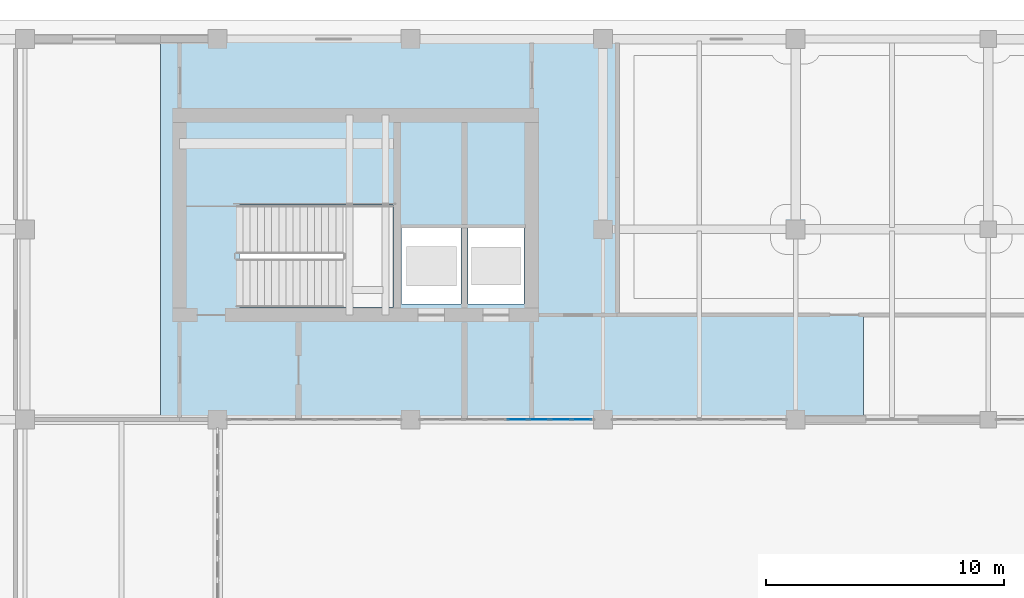
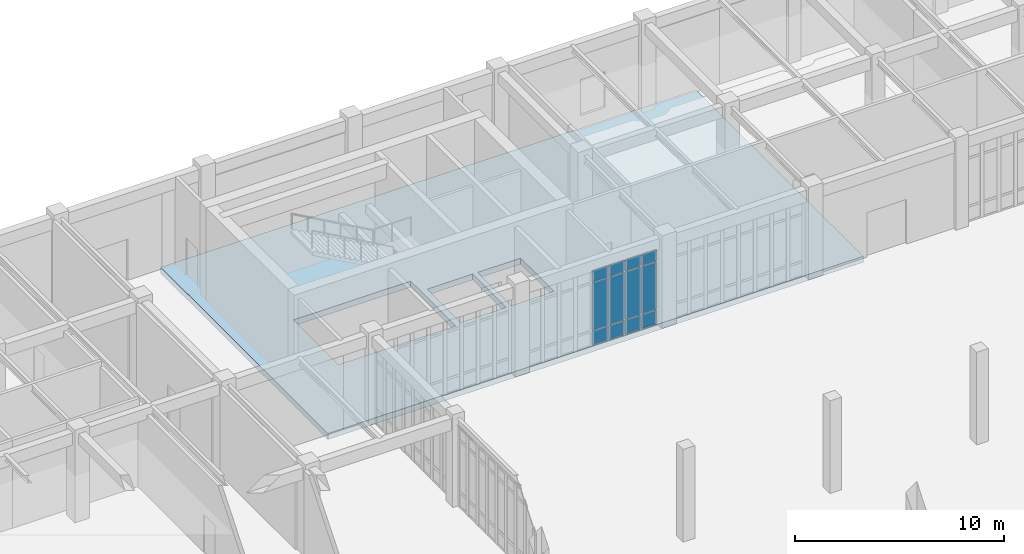
# One storey, part 36 of 62: 12 plates, 1 slab, 1 element without a shape of its own.
"""IFC4 building model written with IfcOpenShell, lengths in metres."""

from ifc_helpers import new_model, si_unit, direction, frame, origin, origin_2d, place, context, subcontext, project, spatial, polyline, rectangle, outline, extrude, material, layer, layer_set, type_object, element, aggregate, save


model = new_model("IFC4")

# Units and contexts
model_context = context("Model", 3, precision=1e-05, world=origin(), true_north=direction((0.0, 1.0)))
body_context = subcontext(model_context, "Body", "Model", "MODEL_VIEW")
ifc_project = project(units=[si_unit("LENGTHUNIT", "METRE"), si_unit("AREAUNIT", "SQUARE_METRE"), si_unit("VOLUMEUNIT", "CUBIC_METRE"), si_unit("PLANEANGLEUNIT", "RADIAN"), si_unit("MASSUNIT", "GRAM", prefix="KILO")], contexts=[model_context])

# Site, building, storey
site_placement = place(None, origin())
site = spatial("IfcSite", under=ifc_project, at=site_placement, CompositionType="ELEMENT")
building_placement = place(site_placement, origin())
building = spatial("IfcBuilding", under=site, at=building_placement, Name="Tarnveldt Square Police Headquarters", CompositionType="ELEMENT")
storey_placement = place(building_placement, origin())
storey = spatial("IfcBuildingStorey", under=building, at=storey_placement, Name="L00", CompositionType="ELEMENT", Elevation=0.0)

# Curtain wall, plates
ifc_material_1 = material(Name="Triple-glazed low-e laminated vision glass", Category="glass")
curtain_wall_type = type_object("IfcCurtainWallType", Name="CW-LB-727x446", PredefinedType="USERDEFINED", material=ifc_material_1)
curtain_wall_placement = place(storey_placement, origin())
curtain_wall = element("IfcCurtainWall", 1, at=curtain_wall_placement, inside=storey, type_object=curtain_wall_type, Name="L00 Curtain Wall CW-L00-100", ObjectType="GLAZED CURTAIN WALL", PredefinedType="USERDEFINED")
ifc_layer_1 = layer(ifc_material_1, 0.028076171875)
ifc_layer_set_1 = layer_set([ifc_layer_1], Name="Triple-glazed low-e laminated vision glass")
plate_type = type_object("IfcPlateType", Name="CWP-VIS-28", PredefinedType="CURTAIN_PANEL", material=ifc_layer_set_1)
plate_1_placement = place(storey_placement, frame((61.204345703125, 96.0, 0.06494140625), z_axis=(0.0, 0.0, 1.0), x_axis=(1.0, 0.0, 0.0)))
plate_1 = element("IfcPlate", 2, at=plate_1_placement, type_object=plate_type, Name="CW-LB57 panel 5.1", PredefinedType="CURTAIN_PANEL", context=body_context, shape_type="SweptSolid", body=[
    extrude(rectangle(XDim=0.833740234375, YDim=0.028076171875, at=origin_2d()), origin(), (0.0, 0.0, 1.0), 0.802490234375),
])
plate_2_placement = place(storey_placement, frame((61.204345703125, 96.0, 0.932373046875), z_axis=(0.0, 0.0, 1.0), x_axis=(1.0, 0.0, 0.0)))
plate_2 = element("IfcPlate", 3, at=plate_2_placement, type_object=plate_type, Name="CW-LB57 panel 5.2", PredefinedType="CURTAIN_PANEL", context=body_context, shape_type="SweptSolid", body=[
    extrude(rectangle(XDim=0.833740234375, YDim=0.028076171875, at=origin_2d()), origin(), (0.0, 0.0, 1.0), 2.7470703125),
])
plate_3_placement = place(storey_placement, frame((61.204345703125, 96.0, 3.74462890625), z_axis=(0.0, 0.0, 1.0), x_axis=(1.0, 0.0, 0.0)))
plate_3 = element("IfcPlate", 4, at=plate_3_placement, type_object=plate_type, Name="CW-LB57 panel 5.3", PredefinedType="CURTAIN_PANEL", context=body_context, shape_type="SweptSolid", body=[
    extrude(rectangle(XDim=0.833740234375, YDim=0.028076171875, at=origin_2d()), origin(), (0.0, 0.0, 1.0), 0.652587890625),
])
plate_4_placement = place(storey_placement, frame((62.113037109375, 96.0, 0.06494140625), z_axis=(0.0, 0.0, 1.0), x_axis=(1.0, 0.0, 0.0)))
plate_4 = element("IfcPlate", 5, at=plate_4_placement, type_object=plate_type, Name="CW-LB57 panel 6.1", PredefinedType="CURTAIN_PANEL", context=body_context, shape_type="SweptSolid", body=[
    extrude(rectangle(XDim=0.833740234375, YDim=0.028076171875, at=origin_2d()), origin(), (0.0, 0.0, 1.0), 0.802490234375),
])
plate_5_placement = place(storey_placement, frame((62.113037109375, 96.0, 0.932373046875), z_axis=(0.0, 0.0, 1.0), x_axis=(1.0, 0.0, 0.0)))
plate_5 = element("IfcPlate", 6, at=plate_5_placement, type_object=plate_type, Name="CW-LB57 panel 6.2", PredefinedType="CURTAIN_PANEL", context=body_context, shape_type="SweptSolid", body=[
    extrude(rectangle(XDim=0.833740234375, YDim=0.028076171875, at=origin_2d()), origin(), (0.0, 0.0, 1.0), 2.7470703125),
])
plate_6_placement = place(storey_placement, frame((62.113037109375, 96.0, 3.74462890625), z_axis=(0.0, 0.0, 1.0), x_axis=(1.0, 0.0, 0.0)))
plate_6 = element("IfcPlate", 7, at=plate_6_placement, type_object=plate_type, Name="CW-LB57 panel 6.3", PredefinedType="CURTAIN_PANEL", context=body_context, shape_type="SweptSolid", body=[
    extrude(rectangle(XDim=0.833740234375, YDim=0.028076171875, at=origin_2d()), origin(), (0.0, 0.0, 1.0), 0.652587890625),
])
plate_7_placement = place(storey_placement, frame((63.02197265625, 96.0, 0.06494140625), z_axis=(0.0, 0.0, 1.0), x_axis=(1.0, 0.0, 0.0)))
plate_7 = element("IfcPlate", 8, at=plate_7_placement, type_object=plate_type, Name="CW-LB57 panel 7.1", PredefinedType="CURTAIN_PANEL", context=body_context, shape_type="SweptSolid", body=[
    extrude(rectangle(XDim=0.833740234375, YDim=0.028076171875, at=origin_2d()), origin(), (0.0, 0.0, 1.0), 0.802490234375),
])
plate_8_placement = place(storey_placement, frame((63.02197265625, 96.0, 0.932373046875), z_axis=(0.0, 0.0, 1.0), x_axis=(1.0, 0.0, 0.0)))
plate_8 = element("IfcPlate", 9, at=plate_8_placement, type_object=plate_type, Name="CW-LB57 panel 7.2", PredefinedType="CURTAIN_PANEL", context=body_context, shape_type="SweptSolid", body=[
    extrude(rectangle(XDim=0.833740234375, YDim=0.028076171875, at=origin_2d()), origin(), (0.0, 0.0, 1.0), 2.7470703125),
])
plate_9_placement = place(storey_placement, frame((63.02197265625, 96.0, 3.74462890625), z_axis=(0.0, 0.0, 1.0), x_axis=(1.0, 0.0, 0.0)))
plate_9 = element("IfcPlate", 10, at=plate_9_placement, type_object=plate_type, Name="CW-LB57 panel 7.3", PredefinedType="CURTAIN_PANEL", context=body_context, shape_type="SweptSolid", body=[
    extrude(rectangle(XDim=0.833740234375, YDim=0.028076171875, at=origin_2d()), origin(), (0.0, 0.0, 1.0), 0.652587890625),
])
plate_10_placement = place(storey_placement, frame((63.911865234375, 96.0, 0.06494140625), z_axis=(0.0, 0.0, 1.0), x_axis=(1.0, 0.0, 0.0)))
plate_10 = element("IfcPlate", 11, at=plate_10_placement, type_object=plate_type, Name="CW-LB57 panel 8.1", PredefinedType="CURTAIN_PANEL", context=body_context, shape_type="SweptSolid", body=[
    extrude(rectangle(XDim=0.796142578125, YDim=0.028076171875, at=origin_2d()), origin(), (0.0, 0.0, 1.0), 0.802490234375),
])
plate_11_placement = place(storey_placement, frame((63.911865234375, 96.0, 0.932373046875), z_axis=(0.0, 0.0, 1.0), x_axis=(1.0, 0.0, 0.0)))
plate_11 = element("IfcPlate", 12, at=plate_11_placement, type_object=plate_type, Name="CW-LB57 panel 8.2", PredefinedType="CURTAIN_PANEL", context=body_context, shape_type="SweptSolid", body=[
    extrude(rectangle(XDim=0.796142578125, YDim=0.028076171875, at=origin_2d()), origin(), (0.0, 0.0, 1.0), 2.7470703125),
])
plate_12_placement = place(storey_placement, frame((63.911865234375, 96.0, 3.74462890625), z_axis=(0.0, 0.0, 1.0), x_axis=(1.0, 0.0, 0.0)))
plate_12 = element("IfcPlate", 13, at=plate_12_placement, type_object=plate_type, Name="CW-LB57 panel 8.3", PredefinedType="CURTAIN_PANEL", context=body_context, shape_type="SweptSolid", body=[
    extrude(rectangle(XDim=0.796142578125, YDim=0.028076171875, at=origin_2d()), origin(), (0.0, 0.0, 1.0), 0.652587890625),
])
aggregate(curtain_wall, [plate_1, plate_2, plate_3, plate_4, plate_5, plate_6, plate_7, plate_8, plate_9, plate_10, plate_11, plate_12])

# Slab
ifc_material_2 = material(Name="Concrete 40 MPa", Category="concrete")
ifc_layer_2 = layer(ifc_material_2, 0.35009765625)
ifc_layer_set_2 = layer_set([ifc_layer_2], Name="Concrete 40 MPa")
slab_type = type_object("IfcSlabType", Name="SL-L00-350", PredefinedType="FLOOR", material=ifc_layer_set_2)
slab_placement = place(storey_placement, frame((0.0, 0.0, -0.35009765625)))
element("IfcSlab", 14, at=slab_placement, inside=storey, type_object=slab_type, Name="L00 Structural Floor Slab L00-V6-1", PredefinedType="FLOOR", context=body_context, shape_type="SweptSolid", body=[
    extrude(outline(polyline([(75.75, 112.0), (75.75, 96.0), (46.199951171875, 96.0), (46.199951171875, 112.0), (75.75, 112.0)]), holes=[polyline([(49.510009765625, 100.719970703125), (55.969970703125, 100.719970703125), (55.969970703125, 105.02001953125), (49.510009765625, 105.02001953125), (49.510009765625, 100.719970703125)]), polyline([(56.330078125, 104.050048828125), (56.330078125, 100.85009765625), (58.8349609375, 100.85009765625), (58.8349609375, 104.050048828125), (56.330078125, 104.050048828125)]), polyline([(59.114990234375, 104.050048828125), (59.114990234375, 100.85009765625), (61.47998046875, 100.85009765625), (61.47998046875, 104.050048828125), (59.114990234375, 104.050048828125)])]), origin(), (0.0, 0.0, 1.0), 0.35009765625),
])

save(model, "model.ifc")
